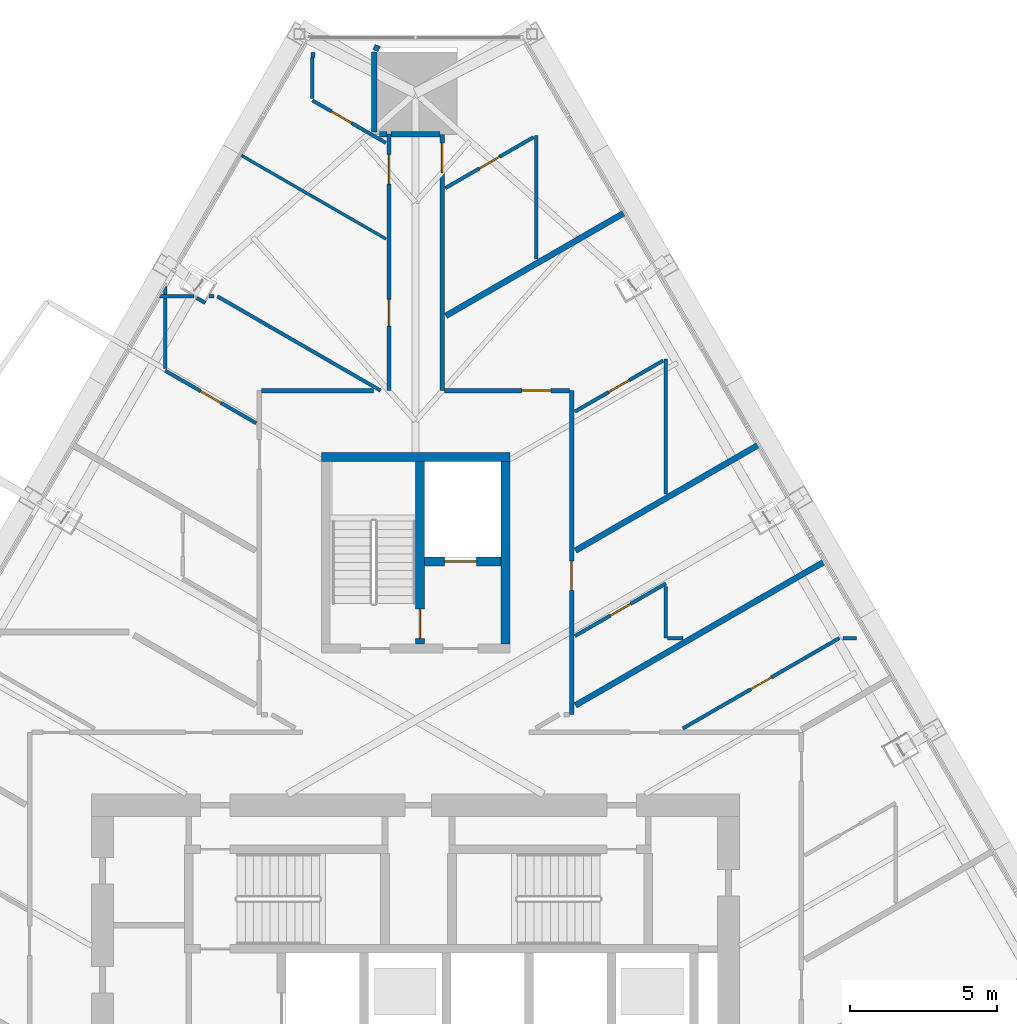
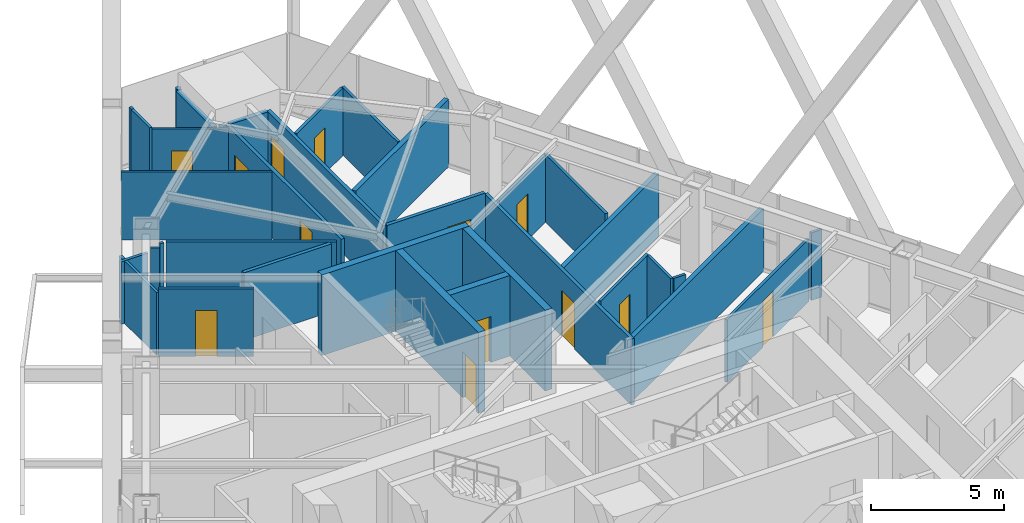
# One storey, part 19 of 26: 35 walls, 13 doors, 13 openings.
"""IFC4 building model written with IfcOpenShell, lengths in metres."""

from ifc_helpers import new_model, si_unit, direction, frame, frame_2d, origin, place, context, subcontext, project, spatial, rectangle, extrude, material, layer, layer_set, type_object, element, fill, save


model = new_model("IFC4")

# Units and contexts
model_context = context("Model", 3, precision=1e-05, world=origin(), true_north=direction((0.0, 1.0)))
body_context = subcontext(model_context, "Body", "Model", "MODEL_VIEW")
ifc_project = project(units=[si_unit("LENGTHUNIT", "METRE"), si_unit("AREAUNIT", "SQUARE_METRE"), si_unit("VOLUMEUNIT", "CUBIC_METRE"), si_unit("PLANEANGLEUNIT", "RADIAN"), si_unit("MASSUNIT", "GRAM", prefix="KILO")], contexts=[model_context])

# Site, building, storey
site_placement = place(None, origin())
site = spatial("IfcSite", under=ifc_project, at=site_placement, CompositionType="ELEMENT")
building_placement = place(site_placement, origin())
building = spatial("IfcBuilding", under=site, at=building_placement, Name="Firuza Gate Tower and Library", CompositionType="ELEMENT")
storey_placement = place(building_placement, frame((0.0, 0.0, 155.800048828125)))
storey = spatial("IfcBuildingStorey", under=building, at=storey_placement, Name="L35", CompositionType="ELEMENT", Elevation=155.800048828125)

# Walls
ifc_material_1 = material(Name="Concrete C80/95", Category="concrete")
ifc_layer_1 = layer(ifc_material_1, 0.300048828125)
ifc_layer_set_1 = layer_set([ifc_layer_1], Name="Core wall 300 C80/95")
wall_type_1 = type_object("IfcWallType", Name="Core wall 300 C80/95", PredefinedType="SHEAR", material=ifc_layer_set_1)
wall_1_placement = place(storey_placement, frame((71.800048828125, 94.449951171875, 0.0), z_axis=(0.0, 0.0, 1.0), x_axis=(1.0, 0.0, 0.0)))
element("IfcWall", 1, at=wall_1_placement, inside=storey, type_object=wall_type_1, Name="Core wall L35 28", PredefinedType="SHEAR", context=body_context, shape_type="SweptSolid", body=[
    extrude(rectangle(XDim=6.39990234375, YDim=0.300048828125, at=frame_2d((3.199951171875, 0.0))), origin(), (0.0, 0.0, 1.0), 3.699951171875),
])
wall_2_placement = place(storey_placement, frame((78.050048828125, 88.10009765625, 0.0), z_axis=(0.0, 0.0, 1.0), x_axis=(0.0, 1.0, 0.0)))
element("IfcWall", 2, at=wall_2_placement, inside=storey, type_object=wall_type_1, Name="Core wall L35 30", PredefinedType="SHEAR", context=body_context, shape_type="SweptSolid", body=[
    extrude(rectangle(XDim=6.199951171875, YDim=0.300048828125, at=frame_2d((3.10009765625, 0.0))), origin(), (0.0, 0.0, 1.0), 3.699951171875),
])

# Wall, opening, door
wall_3_placement = place(storey_placement, frame((75.300048828125, 90.89990234375, 0.0), z_axis=(0.0, 0.0, 1.0), x_axis=(1.0, 0.0, 0.0)))
wall_3 = element("IfcWall", 3, at=wall_3_placement, inside=storey, type_object=wall_type_1, Name="Core wall L35 31", PredefinedType="SHEAR", context=body_context, shape_type="SweptSolid", body=[
    extrude(rectangle(XDim=2.599853515625, YDim=0.300048828125, at=frame_2d((1.2998046875, 0.0))), origin(), (0.0, 0.0, 1.0), 3.699951171875),
])
opening_1_placement = place(wall_3_placement, frame((0.675048828125, 0.0, 0.0)))
opening_1 = element("IfcOpeningElement", 4, at=opening_1_placement, cuts=wall_3, Name="Opening LD-SV1-L35", PredefinedType="OPENING", context=body_context, shape_type="SweptSolid", body=[
    extrude(rectangle(XDim=1.10009765625, YDim=2.10009765625, at=frame_2d((0.550048828125, 1.050048828125))), frame((0.0, 0.16015625, 0.0), z_axis=(0.0, -1.0, 0.0), x_axis=(1.0, 0.0, 0.0)), (0.0, 0.0, 1.0), 0.320068359375),
])
ifc_material_2 = material(Name="Stainless steel", Category="steel")
door_type_1 = type_object("IfcDoorType", Name="Lift landing door 1100x2100", OperationType="DOUBLE_DOOR_SLIDING", PredefinedType="DOOR", material=ifc_material_2)
door_1_placement = place(opening_1_placement, origin())
door_1 = element("IfcDoor", 5, at=door_1_placement, inside=storey, type_object=door_type_1, Name="Landing door SV1 L35", OperationType="DOUBLE_DOOR_SLIDING", OverallHeight=2.10009765625, OverallWidth=1.10009765625, PredefinedType="DOOR", context=body_context, shape_type="SweptSolid", body=[
    extrude(rectangle(XDim=1.10009765625, YDim=2.10009765625, at=frame_2d((0.550048828125, 1.050048828125))), frame((0.0, 0.02490234375, 0.0), z_axis=(0.0, -1.0, 0.0), x_axis=(1.0, 0.0, 0.0)), (0.0, 0.0, 1.0), 0.050048828125),
])
fill(opening_1, door_1)

wall_4_placement = place(storey_placement, frame((75.14990234375, 88.10009765625, 0.0), z_axis=(0.0, 0.0, 1.0), x_axis=(0.0, 1.0, 0.0)))
wall_4 = element("IfcWall", 6, at=wall_4_placement, inside=storey, type_object=wall_type_1, Name="Core wall L35 32", PredefinedType="SHEAR", context=body_context, shape_type="SweptSolid", body=[
    extrude(rectangle(XDim=6.199951171875, YDim=0.300048828125, at=frame_2d((3.10009765625, 0.0))), origin(), (0.0, 0.0, 1.0), 3.699951171875),
])
opening_2_placement = place(wall_4_placement, frame((0.18505859375, 0.0, 0.0)))
opening_2 = element("IfcOpeningElement", 7, at=opening_2_placement, cuts=wall_4, Name="Opening L35-K16", PredefinedType="OPENING", context=body_context, shape_type="SweptSolid", body=[
    extrude(rectangle(XDim=1.0, YDim=2.10009765625, at=frame_2d((0.5, 1.050048828125))), frame((0.0, 0.16015625, 0.0), z_axis=(0.0, -1.0, 0.0), x_axis=(1.0, 0.0, 0.0)), (0.0, 0.0, 1.0), 0.320068359375),
])
ifc_material_3 = material(Name="Steel", Category="steel")
door_type_2 = type_object("IfcDoorType", Name="Fire door 1000x2100 FD90", OperationType="NOTDEFINED", PredefinedType="DOOR", material=ifc_material_3)
door_2_placement = place(opening_2_placement, origin())
door_2 = element("IfcDoor", 8, at=door_2_placement, inside=storey, type_object=door_type_2, Name="Door L35-K16", OperationType="SINGLE_SWING_LEFT", OverallHeight=2.10009765625, OverallWidth=1.0, PredefinedType="DOOR", context=body_context, shape_type="SweptSolid", body=[
    extrude(rectangle(XDim=1.0, YDim=2.10009765625, at=frame_2d((0.5, 1.050048828125))), frame((0.0, 0.02490234375, 0.0), z_axis=(0.0, -1.0, 0.0), x_axis=(1.0, 0.0, 0.0)), (0.0, 0.0, 1.0), 0.050048828125),
])
fill(opening_2, door_2)

# Wall
ifc_material_4 = material(Name="Gypsum board partition")
ifc_layer_2 = layer(ifc_material_4, 0.14990234375)
ifc_layer_set_2 = layer_set([ifc_layer_2], Name="Corridor wall 150 double board on steel studs")
wall_type_2 = type_object("IfcWallType", Name="Corridor wall 150 double board on steel studs", PredefinedType="PARTITIONING", material=ifc_layer_set_2)
wall_5_placement = place(storey_placement, frame((69.77490234375, 96.699951171875, 0.0), z_axis=(0.0, 0.0, 1.0), x_axis=(1.0, 0.0, 0.0)))
element("IfcWall", 9, at=wall_5_placement, inside=storey, type_object=wall_type_2, Name="f:L35:w020", PredefinedType="PARTITIONING", context=body_context, shape_type="SweptSolid", body=[
    extrude(rectangle(XDim=3.7900390625, YDim=0.14990234375, at=frame_2d((1.89501953125, 0.0))), origin(), (0.0, 0.0, 1.0), 3.099853515625),
])

# Wall, opening, door
wall_6_placement = place(storey_placement, frame((75.97509765625, 96.699951171875, 0.0), z_axis=(0.0, 0.0, 1.0), x_axis=(1.0, 0.0, 0.0)))
wall_6 = element("IfcWall", 10, at=wall_6_placement, inside=storey, type_object=wall_type_2, Name="f:L35:w021", PredefinedType="PARTITIONING", context=body_context, shape_type="SweptSolid", body=[
    extrude(rectangle(XDim=4.24951171875, YDim=0.14990234375, at=frame_2d((2.124755859375, 0.0))), origin(), (0.0, 0.0, 1.0), 3.099853515625),
])
opening_3_placement = place(wall_6_placement, frame((2.6220703125, 0.0, 0.0)))
opening_3 = element("IfcOpeningElement", 11, at=opening_3_placement, cuts=wall_6, Name="Opening L35-13", PredefinedType="OPENING", context=body_context, shape_type="SweptSolid", body=[
    extrude(rectangle(XDim=1.0, YDim=2.10009765625, at=frame_2d((0.5, 1.050048828125))), frame((0.0, 0.0849609375, 0.0), z_axis=(0.0, -1.0, 0.0), x_axis=(1.0, 0.0, 0.0)), (0.0, 0.0, 1.0), 0.169921875),
])
ifc_material_5 = material(Name="Steel door and timber leaf", Category="steel")
door_type_3 = type_object("IfcDoorType", Name="Fire door 1000 x 2100 steel frame, timber leaf", OperationType="NOTDEFINED", PredefinedType="DOOR", material=ifc_material_5)
door_3_placement = place(opening_3_placement, origin())
door_3 = element("IfcDoor", 12, at=door_3_placement, inside=storey, type_object=door_type_3, Name="f:L35:d013", OperationType="SINGLE_SWING_RIGHT", OverallHeight=2.10009765625, OverallWidth=1.0, PredefinedType="DOOR", context=body_context, shape_type="SweptSolid", body=[
    extrude(rectangle(XDim=1.0, YDim=2.10009765625, at=frame_2d((0.5, 1.050048828125))), frame((0.0, 0.02490234375, 0.0), z_axis=(0.0, -1.0, 0.0), x_axis=(1.0, 0.0, 0.0)), (0.0, 0.0, 1.0), 0.050048828125),
])
fill(opening_3, door_3)

wall_7_placement = place(storey_placement, frame((80.300048828125, 96.699462890625, 0.0), z_axis=(0.0, 0.0, 1.0), x_axis=(0.0, -1.0, 0.0)))
wall_7 = element("IfcWall", 13, at=wall_7_placement, inside=storey, type_object=wall_type_2, Name="f:L35:w066", PredefinedType="PARTITIONING", context=body_context, shape_type="SweptSolid", body=[
    extrude(rectangle(XDim=10.99951171875, YDim=0.14990234375, at=frame_2d((5.499755859375, 0.0))), origin(), (0.0, 0.0, 1.0), 3.02197265625),
])
opening_4_placement = place(wall_7_placement, frame((5.785888671875, 0.0, 0.0)))
opening_4 = element("IfcOpeningElement", 14, at=opening_4_placement, cuts=wall_7, Name="Opening L35-33", PredefinedType="OPENING", context=body_context, shape_type="SweptSolid", body=[
    extrude(rectangle(XDim=1.0, YDim=2.10009765625, at=frame_2d((0.5, 1.050048828125))), frame((0.0, 0.0849609375, 0.0), z_axis=(0.0, -1.0, 0.0), x_axis=(1.0, 0.0, 0.0)), (0.0, 0.0, 1.0), 0.169921875),
])
door_4_placement = place(opening_4_placement, origin())
door_4 = element("IfcDoor", 15, at=door_4_placement, inside=storey, type_object=door_type_3, Name="f:L35:d033", OperationType="SINGLE_SWING_LEFT", OverallHeight=2.10009765625, OverallWidth=1.0, PredefinedType="DOOR", context=body_context, shape_type="SweptSolid", body=[
    extrude(rectangle(XDim=1.0, YDim=2.10009765625, at=frame_2d((0.5, 1.050048828125))), frame((0.0, 0.02490234375, 0.0), z_axis=(0.0, -1.0, 0.0), x_axis=(1.0, 0.0, 0.0)), (0.0, 0.0, 1.0), 0.050048828125),
])
fill(opening_4, door_4)

wall_8_placement = place(storey_placement, frame((75.89990234375, 105.4013671875, 0.0), z_axis=(0.0, 0.0, 1.0), x_axis=(0.0, -1.0, 0.0)))
wall_8 = element("IfcWall", 16, at=wall_8_placement, inside=storey, type_object=wall_type_2, Name="f:L35:w069", PredefinedType="PARTITIONING", context=body_context, shape_type="SweptSolid", body=[
    extrude(rectangle(XDim=8.701416015625, YDim=0.14990234375, at=frame_2d((4.3505859375, 0.0))), origin(), (0.0, 0.0, 1.0), 3.099853515625),
])
opening_5_placement = place(wall_8_placement, frame((0.304443359375, 0.0, 0.0)))
opening_5 = element("IfcOpeningElement", 17, at=opening_5_placement, cuts=wall_8, Name="Opening L35-34", PredefinedType="OPENING", context=body_context, shape_type="SweptSolid", body=[
    extrude(rectangle(XDim=1.0, YDim=2.10009765625, at=frame_2d((0.5, 1.050048828125))), frame((0.0, 0.0849609375, 0.0), z_axis=(0.0, -1.0, 0.0), x_axis=(1.0, 0.0, 0.0)), (0.0, 0.0, 1.0), 0.169921875),
])
door_5_placement = place(opening_5_placement, origin())
door_5 = element("IfcDoor", 18, at=door_5_placement, inside=storey, type_object=door_type_3, Name="f:L35:d034", OperationType="SINGLE_SWING_LEFT", OverallHeight=2.10009765625, OverallWidth=1.0, PredefinedType="DOOR", context=body_context, shape_type="SweptSolid", body=[
    extrude(rectangle(XDim=1.0, YDim=2.10009765625, at=frame_2d((0.5, 1.050048828125))), frame((0.0, 0.02490234375, 0.0), z_axis=(0.0, -1.0, 0.0), x_axis=(1.0, 0.0, 0.0)), (0.0, 0.0, 1.0), 0.050048828125),
])
fill(opening_5, door_5)

# Wall, openings, doors
wall_9_placement = place(storey_placement, frame((74.10009765625, 96.699951171875, 0.0), z_axis=(0.0, 0.0, 1.0), x_axis=(0.0, 1.0, 0.0)))
wall_9 = element("IfcWall", 19, at=wall_9_placement, inside=storey, type_object=wall_type_2, Name="f:L35:w070", PredefinedType="PARTITIONING", context=body_context, shape_type="SweptSolid", body=[
    extrude(rectangle(XDim=8.701904296875, YDim=0.14990234375, at=frame_2d((4.35107421875, 0.0))), origin(), (0.0, 0.0, 1.0), 3.099853515625),
])
opening_6_placement = place(wall_9_placement, frame((2.1962890625, 0.0, 0.0)))
opening_6 = element("IfcOpeningElement", 20, at=opening_6_placement, cuts=wall_9, Name="Opening L35-35", PredefinedType="OPENING", context=body_context, shape_type="SweptSolid", body=[
    extrude(rectangle(XDim=0.89990234375, YDim=2.10009765625, at=frame_2d((0.449951171875, 1.050048828125))), frame((0.0, 0.0849609375, 0.0), z_axis=(0.0, -1.0, 0.0), x_axis=(1.0, 0.0, 0.0)), (0.0, 0.0, 1.0), 0.169921875),
])
opening_7_placement = place(wall_9_placement, frame((7.010986328125, 0.0, 0.0)))
opening_7 = element("IfcOpeningElement", 21, at=opening_7_placement, cuts=wall_9, Name="Opening L35-36", PredefinedType="OPENING", context=body_context, shape_type="SweptSolid", body=[
    extrude(rectangle(XDim=1.0, YDim=2.10009765625, at=frame_2d((0.5, 1.050048828125))), frame((0.0, 0.0849609375, 0.0), z_axis=(0.0, -1.0, 0.0), x_axis=(1.0, 0.0, 0.0)), (0.0, 0.0, 1.0), 0.169921875),
])
door_6_placement = place(opening_7_placement, origin())
door_6 = element("IfcDoor", 22, at=door_6_placement, inside=storey, type_object=door_type_3, Name="f:L35:d036", OperationType="SINGLE_SWING_RIGHT", OverallHeight=2.10009765625, OverallWidth=1.0, PredefinedType="DOOR", context=body_context, shape_type="SweptSolid", body=[
    extrude(rectangle(XDim=1.0, YDim=2.10009765625, at=frame_2d((0.5, 1.050048828125))), frame((0.0, 0.02490234375, 0.0), z_axis=(0.0, -1.0, 0.0), x_axis=(1.0, 0.0, 0.0)), (0.0, 0.0, 1.0), 0.050048828125),
])
fill(opening_7, door_6)
ifc_material_6 = material(Name="Steel door and timber leaf", Category="steel")
door_type_4 = type_object("IfcDoorType", Name="Fire door 900 x 2100 steel frame, timber leaf", OperationType="NOTDEFINED", PredefinedType="DOOR", material=ifc_material_6)
door_7_placement = place(opening_6_placement, origin())
door_7 = element("IfcDoor", 23, at=door_7_placement, inside=storey, type_object=door_type_4, Name="f:L35:d035", OperationType="SINGLE_SWING_RIGHT", OverallHeight=2.10009765625, OverallWidth=0.89990234375, PredefinedType="DOOR", context=body_context, shape_type="SweptSolid", body=[
    extrude(rectangle(XDim=0.89990234375, YDim=2.10009765625, at=frame_2d((0.449951171875, 1.050048828125))), frame((0.0, 0.02490234375, 0.0), z_axis=(0.0, -1.0, 0.0), x_axis=(1.0, 0.0, 0.0)), (0.0, 0.0, 1.0), 0.050048828125),
])
fill(opening_6, door_7)

# Walls
ifc_material_7 = material(Name="Gypsum board partition")
ifc_layer_3 = layer(ifc_material_7, 0.199951171875)
ifc_layer_set_3 = layer_set([ifc_layer_3], Name="Demising wall 200 acoustic double stud")
wall_type_3 = type_object("IfcWallType", Name="Demising wall 200 acoustic double stud", PredefinedType="PARTITIONING", material=ifc_layer_set_3)
wall_10_placement = place(storey_placement, frame((73.780517578125, 105.402099609375, 0.0), z_axis=(0.0, 0.0, 1.0), x_axis=(1.0, 0.0, 0.0)))
element("IfcWall", 24, at=wall_10_placement, inside=storey, type_object=wall_type_3, Name="f:L35:w024", PredefinedType="PARTITIONING", context=body_context, shape_type="SweptSolid", body=[
    extrude(rectangle(XDim=0.244384765625, YDim=0.199951171875, at=frame_2d((0.1220703125, 0.0))), origin(), (0.0, 0.0, 1.0), 3.099853515625),
])
wall_11_placement = place(storey_placement, frame((80.427001953125, 86.01416015625, 0.0), z_axis=(0.0, 0.0, 1.0), x_axis=(0.866026648273, 0.499997844476, 0.0)))
element("IfcWall", 25, at=wall_11_placement, inside=storey, type_object=wall_type_3, Name="f:L35:w043", PredefinedType="PARTITIONING", context=body_context, shape_type="SweptSolid", body=[
    extrude(rectangle(XDim=9.771484375, YDim=0.199951171875, at=frame_2d((4.8857421875, 0.0))), origin(), (0.0, 0.0, 1.0), 2.864990234375),
])
wall_12_placement = place(storey_placement, frame((80.427001953125, 91.26806640625, 0.0), z_axis=(0.0, 0.0, 1.0), x_axis=(0.866030807744, 0.499990639951, 0.0)))
element("IfcWall", 26, at=wall_12_placement, inside=storey, type_object=wall_type_3, Name="f:L35:w045", PredefinedType="PARTITIONING", context=body_context, shape_type="SweptSolid", body=[
    extrude(rectangle(XDim=7.144775390625, YDim=0.199951171875, at=frame_2d((3.572265625, 0.0))), origin(), (0.0, 0.0, 1.0), 2.864990234375),
])
wall_13_placement = place(storey_placement, frame((76.02685546875, 99.235595703125, 0.0), z_axis=(0.0, 0.0, 1.0), x_axis=(0.866038628871, 0.499977092778, 0.0)))
element("IfcWall", 27, at=wall_13_placement, inside=storey, type_object=wall_type_3, Name="f:L35:w047", PredefinedType="PARTITIONING", context=body_context, shape_type="SweptSolid", body=[
    extrude(rectangle(XDim=6.971435546875, YDim=0.199951171875, at=frame_2d((3.48583984375, 0.0))), origin(), (0.0, 0.0, 1.0), 3.099853515625),
])
wall_14_placement = place(storey_placement, frame((73.72265625, 108.412841796875, 0.0), z_axis=(0.0, 0.0, 1.0), x_axis=(-0.427657527618, -0.903940838259, 0.0)))
element("IfcWall", 28, at=wall_14_placement, inside=storey, type_object=wall_type_3, Name="f:L35:w051", PredefinedType="PARTITIONING", context=body_context, shape_type="SweptSolid", body=[
    extrude(rectangle(XDim=0.19580078125, YDim=0.199951171875, at=frame_2d((0.097900390625, 0.0))), origin(), (0.0, 0.0, 1.0), 3.099853515625),
])
wall_15_placement = place(storey_placement, frame((73.60009765625, 105.4716796875, 0.0), z_axis=(0.0, 0.0, 1.0), x_axis=(0.0, 1.0, 0.0)))
element("IfcWall", 29, at=wall_15_placement, inside=storey, type_object=wall_type_3, Name="f:L35:w072", PredefinedType="PARTITIONING", context=body_context, shape_type="SweptSolid", body=[
    extrude(rectangle(XDim=2.72900390625, YDim=0.199951171875, at=frame_2d((1.364501953125, 0.0))), origin(), (0.0, 0.0, 1.0), 3.099853515625),
])
wall_16_placement = place(storey_placement, frame((74.175048828125, 105.402099609375, 0.0), z_axis=(0.0, 0.0, 1.0), x_axis=(1.0, 0.0, 0.0)))
element("IfcWall", 30, at=wall_16_placement, inside=storey, type_object=wall_type_3, Name="f:L35:w118", PredefinedType="PARTITIONING", context=body_context, shape_type="SweptSolid", body=[
    extrude(rectangle(XDim=1.6494140625, YDim=0.199951171875, at=frame_2d((0.82470703125, 0.0))), origin(), (0.0, 0.0, 1.0), 3.096923828125),
])
ifc_material_8 = material(Name="Gypsum board partition")
ifc_layer_4 = layer(ifc_material_8, 0.10009765625)
ifc_layer_set_4 = layer_set([ifc_layer_4], Name="Partition 100 gypsum board on steel studs")
wall_type_4 = type_object("IfcWallType", Name="Partition 100 gypsum board on steel studs", PredefinedType="PARTITIONING", material=ifc_layer_set_4)
wall_17_placement = place(storey_placement, frame((73.9990234375, 101.847412109375, 0.0), z_axis=(0.0, 0.0, 1.0), x_axis=(-0.866024993943, 0.500000709865, 0.0)))
element("IfcWall", 31, at=wall_17_placement, inside=storey, type_object=wall_type_4, Name="f:L35:w093", PredefinedType="PARTITIONING", context=body_context, shape_type="SweptSolid", body=[
    extrude(rectangle(XDim=5.6708984375, YDim=0.10009765625, at=frame_2d((2.83544921875, 0.0))), origin(), (0.0, 0.0, 1.0), 3.099853515625),
])
ifc_material_9 = material(Name="Gypsum board partition")
ifc_layer_5 = layer(ifc_material_9, 0.1201171875)
ifc_layer_set_5 = layer_set([ifc_layer_5], Name="Wet-area partition 120 moisture-resistant board")
wall_type_5 = type_object("IfcWallType", Name="Wet-area partition 120 moisture-resistant board", PredefinedType="PARTITIONING", material=ifc_layer_set_5)
wall_18_placement = place(storey_placement, frame((83.56005859375, 88.300048828125, 0.0), z_axis=(0.0, 0.0, 1.0), x_axis=(1.0, 0.0, 0.0)))
element("IfcWall", 32, at=wall_18_placement, inside=storey, type_object=wall_type_5, Name="f:L35:w017", PredefinedType="PARTITIONING", context=body_context, shape_type="SweptSolid", body=[
    extrude(rectangle(XDim=0.51611328125, YDim=0.1201171875, at=frame_2d((0.258056640625, 0.0))), origin(), (0.0, 0.0, 1.0), 3.099853515625),
])
wall_19_placement = place(storey_placement, frame((89.51123046875, 88.300048828125, 0.0), z_axis=(0.0, 0.0, 1.0), x_axis=(1.0, 0.0, 0.0)))
element("IfcWall", 33, at=wall_19_placement, inside=storey, type_object=wall_type_5, Name="f:L35:w018", PredefinedType="PARTITIONING", context=body_context, shape_type="SweptSolid", body=[
    extrude(rectangle(XDim=0.463623046875, YDim=0.1201171875, at=frame_2d((0.23193359375, 0.0))), origin(), (0.0, 0.0, 1.0), 3.099853515625),
])
wall_20_placement = place(storey_placement, frame((66.306640625, 99.89990234375, 0.0), z_axis=(0.0, 0.0, 1.0), x_axis=(1.0, 0.0, 0.0)))
element("IfcWall", 34, at=wall_20_placement, inside=storey, type_object=wall_type_5, Name="f:L35:w022", PredefinedType="PARTITIONING", context=body_context, shape_type="SweptSolid", body=[
    extrude(rectangle(XDim=1.165283203125, YDim=0.1201171875, at=frame_2d((0.58251953125, 0.0))), origin(), (0.0, 0.0, 1.0), 2.864990234375),
])
wall_21_placement = place(storey_placement, frame((67.99267578125, 99.89990234375, 0.0), z_axis=(0.0, 0.0, 1.0), x_axis=(1.0, 0.0, 0.0)))
element("IfcWall", 35, at=wall_21_placement, inside=storey, type_object=wall_type_5, Name="f:L35:w023", PredefinedType="PARTITIONING", context=body_context, shape_type="SweptSolid", body=[
    extrude(rectangle(XDim=0.1591796875, YDim=0.1201171875, at=frame_2d((0.07958984375, 0.0))), origin(), (0.0, 0.0, 1.0), 3.099853515625),
])

# Wall, opening, door
wall_22_placement = place(storey_placement, frame((89.391357421875, 88.299560546875, 0.0), z_axis=(0.0, 0.0, 1.0), x_axis=(-0.866037264291, -0.499979456437, 0.0)))
wall_22 = element("IfcWall", 36, at=wall_22_placement, inside=storey, type_object=wall_type_5, Name="f:L35:w041", PredefinedType="PARTITIONING", context=body_context, shape_type="SweptSolid", body=[
    extrude(rectangle(XDim=6.139892578125, YDim=0.1201171875, at=frame_2d((3.06982421875, 0.0))), origin(), (0.0, 0.0, 1.0), 2.864990234375),
])
opening_8_placement = place(wall_22_placement, frame((2.669921875, 0.0, 0.0)))
opening_8 = element("IfcOpeningElement", 37, at=opening_8_placement, cuts=wall_22, Name="Opening L35-25", PredefinedType="OPENING", context=body_context, shape_type="SweptSolid", body=[
    extrude(rectangle(XDim=0.800048828125, YDim=2.10009765625, at=frame_2d((0.39990234375, 1.050048828125))), frame((0.0, 0.070068359375, 0.0), z_axis=(0.0, -1.0, 0.0), x_axis=(1.0, 0.0, 0.0)), (0.0, 0.0, 1.0), 0.14013671875),
])
ifc_material_10 = material(Name="Timber door", Category="wood")
door_type_5 = type_object("IfcDoorType", Name="Door 800 x 2100 timber leaf", OperationType="NOTDEFINED", PredefinedType="DOOR", material=ifc_material_10)
door_8_placement = place(opening_8_placement, origin())
door_8 = element("IfcDoor", 38, at=door_8_placement, inside=storey, type_object=door_type_5, Name="f:L35:d025", OperationType="SINGLE_SWING_RIGHT", OverallHeight=2.10009765625, OverallWidth=0.800048828125, PredefinedType="DOOR", context=body_context, shape_type="SweptSolid", body=[
    extrude(rectangle(XDim=0.800048828125, YDim=2.10009765625, at=frame_2d((0.39990234375, 1.050048828125))), frame((0.0, 0.02490234375, 0.0), z_axis=(0.0, -1.0, 0.0), x_axis=(1.0, 0.0, 0.0)), (0.0, 0.0, 1.0), 0.050048828125),
])
fill(opening_8, door_8)

wall_23_placement = place(storey_placement, frame((83.500244140625, 90.152099609375, 0.0), z_axis=(0.0, 0.0, 1.0), x_axis=(-0.866028357664, -0.499994883695, 0.0)))
wall_23 = element("IfcWall", 39, at=wall_23_placement, inside=storey, type_object=wall_type_5, Name="f:L35:w044", PredefinedType="PARTITIONING", context=body_context, shape_type="SweptSolid", body=[
    extrude(rectangle(XDim=3.568359375, YDim=0.1201171875, at=frame_2d((1.7841796875, 0.0))), origin(), (0.0, 0.0, 1.0), 3.099853515625),
])
opening_9_placement = place(wall_23_placement, frame((1.38427734375, 0.0, 0.0)))
opening_9 = element("IfcOpeningElement", 40, at=opening_9_placement, cuts=wall_23, Name="Opening L35-26", PredefinedType="OPENING", context=body_context, shape_type="SweptSolid", body=[
    extrude(rectangle(XDim=0.800048828125, YDim=2.10009765625, at=frame_2d((0.39990234375, 1.050048828125))), frame((0.0, 0.070068359375, 0.0), z_axis=(0.0, -1.0, 0.0), x_axis=(1.0, 0.0, 0.0)), (0.0, 0.0, 1.0), 0.14013671875),
])
door_9_placement = place(opening_9_placement, origin())
door_9 = element("IfcDoor", 41, at=door_9_placement, inside=storey, type_object=door_type_5, Name="f:L35:d026", OperationType="SINGLE_SWING_RIGHT", OverallHeight=2.10009765625, OverallWidth=0.800048828125, PredefinedType="DOOR", context=body_context, shape_type="SweptSolid", body=[
    extrude(rectangle(XDim=0.800048828125, YDim=2.10009765625, at=frame_2d((0.39990234375, 1.050048828125))), frame((0.0, 0.02490234375, 0.0), z_axis=(0.0, -1.0, 0.0), x_axis=(1.0, 0.0, 0.0)), (0.0, 0.0, 1.0), 0.050048828125),
])
fill(opening_9, door_9)

wall_24_placement = place(storey_placement, frame((83.4052734375, 97.716064453125, 0.0), z_axis=(0.0, 0.0, 1.0), x_axis=(-0.866028087245, -0.499995352082, 0.0)))
wall_24 = element("IfcWall", 42, at=wall_24_placement, inside=storey, type_object=wall_type_5, Name="f:L35:w046", PredefinedType="PARTITIONING", context=body_context, shape_type="SweptSolid", body=[
    extrude(rectangle(XDim=3.458984375, YDim=0.1201171875, at=frame_2d((1.7294921875, 0.0))), origin(), (0.0, 0.0, 1.0), 3.099853515625),
])
opening_10_placement = place(wall_24_placement, frame((1.32958984375, 0.0, 0.0)))
opening_10 = element("IfcOpeningElement", 43, at=opening_10_placement, cuts=wall_24, Name="Opening L35-27", PredefinedType="OPENING", context=body_context, shape_type="SweptSolid", body=[
    extrude(rectangle(XDim=0.800048828125, YDim=2.10009765625, at=frame_2d((0.39990234375, 1.050048828125))), frame((0.0, 0.070068359375, 0.0), z_axis=(0.0, -1.0, 0.0), x_axis=(1.0, 0.0, 0.0)), (0.0, 0.0, 1.0), 0.14013671875),
])
door_10_placement = place(opening_10_placement, origin())
door_10 = element("IfcDoor", 44, at=door_10_placement, inside=storey, type_object=door_type_5, Name="f:L35:d027", OperationType="SINGLE_SWING_RIGHT", OverallHeight=2.10009765625, OverallWidth=0.800048828125, PredefinedType="DOOR", context=body_context, shape_type="SweptSolid", body=[
    extrude(rectangle(XDim=0.800048828125, YDim=2.10009765625, at=frame_2d((0.39990234375, 1.050048828125))), frame((0.0, 0.02490234375, 0.0), z_axis=(0.0, -1.0, 0.0), x_axis=(1.0, 0.0, 0.0)), (0.0, 0.0, 1.0), 0.050048828125),
])
fill(opening_10, door_10)

wall_25_placement = place(storey_placement, frame((79.00537109375, 105.301513671875, 0.0), z_axis=(0.0, 0.0, 1.0), x_axis=(-0.865997524453, -0.50004828531, 0.0)))
wall_25 = element("IfcWall", 45, at=wall_25_placement, inside=storey, type_object=wall_type_5, Name="f:L35:w048", PredefinedType="PARTITIONING", context=body_context, shape_type="SweptSolid", body=[
    extrude(rectangle(XDim=3.459228515625, YDim=0.1201171875, at=frame_2d((1.7294921875, 0.0))), origin(), (0.0, 0.0, 1.0), 3.099853515625),
])
opening_11_placement = place(wall_25_placement, frame((1.32958984375, 0.0, 0.0)))
opening_11 = element("IfcOpeningElement", 46, at=opening_11_placement, cuts=wall_25, Name="Opening L35-28", PredefinedType="OPENING", context=body_context, shape_type="SweptSolid", body=[
    extrude(rectangle(XDim=0.800048828125, YDim=2.10009765625, at=frame_2d((0.39990234375, 1.050048828125))), frame((0.0, 0.070068359375, 0.0), z_axis=(0.0, -1.0, 0.0), x_axis=(1.0, 0.0, 0.0)), (0.0, 0.0, 1.0), 0.14013671875),
])
door_11_placement = place(opening_11_placement, origin())
door_11 = element("IfcDoor", 47, at=door_11_placement, inside=storey, type_object=door_type_5, Name="f:L35:d028", OperationType="SINGLE_SWING_RIGHT", OverallHeight=2.10009765625, OverallWidth=0.800048828125, PredefinedType="DOOR", context=body_context, shape_type="SweptSolid", body=[
    extrude(rectangle(XDim=0.800048828125, YDim=2.10009765625, at=frame_2d((0.39990234375, 1.050048828125))), frame((0.0, 0.02490234375, 0.0), z_axis=(0.0, -1.0, 0.0), x_axis=(1.0, 0.0, 0.0)), (0.0, 0.0, 1.0), 0.050048828125),
])
fill(opening_11, door_11)

# Walls
wall_26_placement = place(storey_placement, frame((83.5, 88.300048828125, 0.0), z_axis=(0.0, 0.0, 1.0), x_axis=(0.0, 1.0, 0.0)))
element("IfcWall", 48, at=wall_26_placement, inside=storey, type_object=wall_type_5, Name="f:L35:w063", PredefinedType="PARTITIONING", context=body_context, shape_type="SweptSolid", body=[
    extrude(rectangle(XDim=1.7431640625, YDim=0.1201171875, at=frame_2d((0.87158203125, 0.0))), origin(), (0.0, 0.0, 1.0), 3.099853515625),
])
wall_27_placement = place(storey_placement, frame((83.5, 93.19775390625, 0.0), z_axis=(0.0, 0.0, 1.0), x_axis=(0.0, 1.0, 0.0)))
element("IfcWall", 49, at=wall_27_placement, inside=storey, type_object=wall_type_5, Name="f:L35:w064", PredefinedType="PARTITIONING", context=body_context, shape_type="SweptSolid", body=[
    extrude(rectangle(XDim=4.572998046875, YDim=0.1201171875, at=frame_2d((2.28662109375, 0.0))), origin(), (0.0, 0.0, 1.0), 3.099853515625),
])
wall_28_placement = place(storey_placement, frame((79.10009765625, 101.1650390625, 0.0), z_axis=(0.0, 0.0, 1.0), x_axis=(0.0, 1.0, 0.0)))
element("IfcWall", 50, at=wall_28_placement, inside=storey, type_object=wall_type_5, Name="f:L35:w067", PredefinedType="PARTITIONING", context=body_context, shape_type="SweptSolid", body=[
    extrude(rectangle(XDim=4.191162109375, YDim=0.1201171875, at=frame_2d((2.095703125, 0.0))), origin(), (0.0, 0.0, 1.0), 3.099853515625),
])
wall_29_placement = place(storey_placement, frame((71.51904296875, 108.002197265625, 0.0), z_axis=(0.0, 0.0, 1.0), x_axis=(0.0, 1.0, 0.0)))
element("IfcWall", 51, at=wall_29_placement, inside=storey, type_object=wall_type_5, Name="f:L35:w073", PredefinedType="PARTITIONING", context=body_context, shape_type="SweptSolid", body=[
    extrude(rectangle(XDim=0.1728515625, YDim=0.1201171875, at=frame_2d((0.08642578125, 0.0))), origin(), (0.0, 0.0, 1.0), 3.099853515625),
])
wall_30_placement = place(storey_placement, frame((71.5, 106.61767578125, 0.0), z_axis=(0.0, 0.0, 1.0), x_axis=(0.0, 1.0, 0.0)))
element("IfcWall", 52, at=wall_30_placement, inside=storey, type_object=wall_type_5, Name="f:L35:w074", PredefinedType="PARTITIONING", context=body_context, shape_type="SweptSolid", body=[
    extrude(rectangle(XDim=1.384033203125, YDim=0.1201171875, at=frame_2d((0.69189453125, 0.0))), origin(), (0.0, 0.0, 1.0), 3.099853515625),
])
wall_31_placement = place(storey_placement, frame((66.5, 97.446044921875, 0.0), z_axis=(0.0, 0.0, 1.0), x_axis=(0.0, 1.0, 0.0)))
element("IfcWall", 53, at=wall_31_placement, inside=storey, type_object=wall_type_5, Name="f:L35:w079", PredefinedType="PARTITIONING", context=body_context, shape_type="SweptSolid", body=[
    extrude(rectangle(XDim=2.78857421875, YDim=0.1201171875, at=frame_2d((1.394287109375, 0.0))), origin(), (0.0, 0.0, 1.0), 2.864990234375),
])

# Wall, opening, door
wall_32_placement = place(storey_placement, frame((71.500244140625, 106.548828125, 0.0), z_axis=(0.0, 0.0, 1.0), x_axis=(0.86598763626, -0.500065409566, 0.0)))
wall_32 = element("IfcWall", 54, at=wall_32_placement, inside=storey, type_object=wall_type_5, Name="f:L35:w092", PredefinedType="PARTITIONING", context=body_context, shape_type="SweptSolid", body=[
    extrude(rectangle(XDim=2.87548828125, YDim=0.1201171875, at=frame_2d((1.437744140625, 0.0))), origin(), (0.0, 0.0, 1.0), 3.099853515625),
])
opening_12_placement = place(wall_32_placement, frame((0.73779296875, 0.0, 0.0)))
opening_12 = element("IfcOpeningElement", 55, at=opening_12_placement, cuts=wall_32, Name="Opening L35-43", PredefinedType="OPENING", context=body_context, shape_type="SweptSolid", body=[
    extrude(rectangle(XDim=0.800048828125, YDim=2.10009765625, at=frame_2d((0.39990234375, 1.050048828125))), frame((0.0, 0.070068359375, 0.0), z_axis=(0.0, -1.0, 0.0), x_axis=(1.0, 0.0, 0.0)), (0.0, 0.0, 1.0), 0.14013671875),
])
door_12_placement = place(opening_12_placement, origin())
door_12 = element("IfcDoor", 56, at=door_12_placement, inside=storey, type_object=door_type_5, Name="f:L35:d043", OperationType="SINGLE_SWING_RIGHT", OverallHeight=2.10009765625, OverallWidth=0.800048828125, PredefinedType="DOOR", context=body_context, shape_type="SweptSolid", body=[
    extrude(rectangle(XDim=0.800048828125, YDim=2.10009765625, at=frame_2d((0.39990234375, 1.050048828125))), frame((0.0, 0.02490234375, 0.0), z_axis=(0.0, -1.0, 0.0), x_axis=(1.0, 0.0, 0.0)), (0.0, 0.0, 1.0), 0.050048828125),
])
fill(opening_12, door_12)

# Walls
wall_33_placement = place(storey_placement, frame((73.814453125, 96.7001953125, 0.0), z_axis=(0.0, 0.0, 1.0), x_axis=(-0.866025499775, 0.499999833739, 0.0)))
element("IfcWall", 57, at=wall_33_placement, inside=storey, type_object=wall_type_5, Name="f:L35:w094", PredefinedType="PARTITIONING", context=body_context, shape_type="SweptSolid", body=[
    extrude(rectangle(XDim=6.39990234375, YDim=0.1201171875, at=frame_2d((3.199951171875, 0.0))), origin(), (0.0, 0.0, 1.0), 3.099853515625),
])
wall_34_placement = place(storey_placement, frame((67.862548828125, 99.674560546875, 0.0), z_axis=(0.0, 0.0, 1.0), x_axis=(-0.865964461276, 0.500105540669, 0.0)))
element("IfcWall", 58, at=wall_34_placement, inside=storey, type_object=wall_type_5, Name="f:L35:w095", PredefinedType="PARTITIONING", context=body_context, shape_type="SweptSolid", body=[
    extrude(rectangle(XDim=0.3310546875, YDim=0.1201171875, at=frame_2d((0.16552734375, 0.0))), origin(), (0.0, 0.0, 1.0), 3.099853515625),
])

# Wall, opening, door
wall_35_placement = place(storey_placement, frame((66.500244140625, 97.376953125, 0.0), z_axis=(0.0, 0.0, 1.0), x_axis=(0.866028357664, -0.499994883695, 0.0)))
wall_35 = element("IfcWall", 59, at=wall_35_placement, inside=storey, type_object=wall_type_5, Name="f:L35:w096", PredefinedType="PARTITIONING", context=body_context, shape_type="SweptSolid", body=[
    extrude(rectangle(XDim=3.568359375, YDim=0.1201171875, at=frame_2d((1.7841796875, 0.0))), origin(), (0.0, 0.0, 1.0), 3.099853515625),
])
opening_13_placement = place(wall_35_placement, frame((1.38427734375, 0.0, 0.0)))
opening_13 = element("IfcOpeningElement", 60, at=opening_13_placement, cuts=wall_35, Name="Opening L35-44", PredefinedType="OPENING", context=body_context, shape_type="SweptSolid", body=[
    extrude(rectangle(XDim=0.800048828125, YDim=2.10009765625, at=frame_2d((0.39990234375, 1.050048828125))), frame((0.0, 0.070068359375, 0.0), z_axis=(0.0, -1.0, 0.0), x_axis=(1.0, 0.0, 0.0)), (0.0, 0.0, 1.0), 0.14013671875),
])
door_13_placement = place(opening_13_placement, origin())
door_13 = element("IfcDoor", 61, at=door_13_placement, inside=storey, type_object=door_type_5, Name="f:L35:d044", OperationType="SINGLE_SWING_LEFT", OverallHeight=2.10009765625, OverallWidth=0.800048828125, PredefinedType="DOOR", context=body_context, shape_type="SweptSolid", body=[
    extrude(rectangle(XDim=0.800048828125, YDim=2.10009765625, at=frame_2d((0.39990234375, 1.050048828125))), frame((0.0, 0.02490234375, 0.0), z_axis=(0.0, -1.0, 0.0), x_axis=(1.0, 0.0, 0.0)), (0.0, 0.0, 1.0), 0.050048828125),
])
fill(opening_13, door_13)

save(model, "model.ifc")
